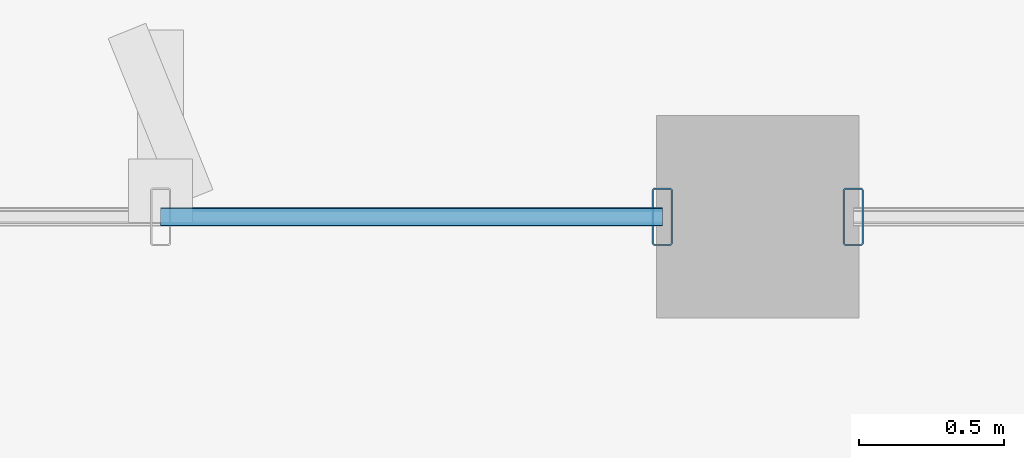
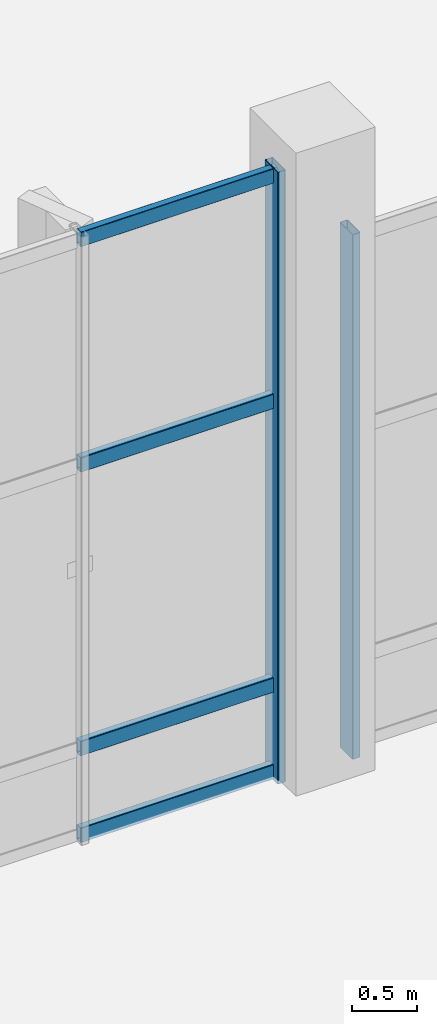
# One storey, part 51 of 163: 6 members, 2 elements without a shape of their own.
"""IFC4 building model written with IfcOpenShell, lengths in metres."""

import ifcopenshell
import ifcopenshell.guid

model = None  # the IFC model being written
_history = None  # IfcOwnerHistory: only IFC2X3 demands one
_inside = {}  # id of a spatial element -> (the spatial element, [elements in it])
_under = {}  # id of a project, library or spatial element -> (it, [spatial elements below it])
_declared = {}  # id of a project -> (the project, [libraries it declares])
_typed = {}  # id of a type object -> (the type object, [elements of that type])
_made_of = {}  # id of a material, layer set ... -> (it, [elements and type objects made of it])


def new_model(schema):
    """Start an empty IFC model of exactly this schema.

    Asked for "IFC4X3", IfcOpenShell would pick the latest addendum, in which some entities
    have other attributes; the version numbers below select the first issue.
    IFC2X3 requires an IfcOwnerHistory on every rooted entity: one is made here for all.
    """
    global model, _history
    if schema == "IFC4X3":
        model = ifcopenshell.file(schema_version=(4, 3, 0, 0))
    else:
        model = ifcopenshell.file(schema=schema)
    _inside.clear()
    _under.clear()
    _declared.clear()
    _typed.clear()
    _made_of.clear()
    _history = None
    if model.schema == "IFC2X3":
        org = make("IfcOrganization", Name="unknown")
        user = make(
            "IfcPersonAndOrganization",
            ThePerson=make("IfcPerson", FamilyName="unknown"),
            TheOrganization=org,
        )
        app = make(
            "IfcApplication",
            ApplicationDeveloper=org,
            Version="unknown",
            ApplicationFullName="unknown",
            ApplicationIdentifier="unknown",
        )
        _history = make(
            "IfcOwnerHistory",
            OwningUser=user,
            OwningApplication=app,
            ChangeAction="ADDED",
            CreationDate=0,
        )
    return model


def make(cls, **values):
    """One entity of the class cls with the attributes given. An attribute that is None is left unset."""
    return model.create_entity(
        cls, **{name: value for name, value in values.items() if value is not None}
    )


def rooted(cls, **values):
    """An entity with a GlobalId (a new one), such as an element, a storey or a relation."""
    return make(cls, GlobalId=ifcopenshell.guid.new(), OwnerHistory=_history, **values)


def si_unit(unit_type, name, prefix=None):
    """IfcSIUnit, for example si_unit("LENGTHUNIT", "METRE", prefix="MILLI")."""
    return make("IfcSIUnit", UnitType=unit_type, Prefix=prefix, Name=name)


def assignment(units):
    """IfcUnitAssignment: the units of a project."""
    return None if units is None else make("IfcUnitAssignment", Units=units)


def point(xyz):
    """IfcCartesianPoint."""
    return None if xyz is None else make("IfcCartesianPoint", Coordinates=xyz)


def direction(xyz):
    """IfcDirection."""
    return None if xyz is None else make("IfcDirection", DirectionRatios=xyz)


def frame(location, z_axis=None, x_axis=None):
    """IfcAxis2Placement3D, a coordinate frame: its origin and axes. An axis left out is left unset."""
    return make(
        "IfcAxis2Placement3D",
        Location=point(location),
        Axis=direction(z_axis),
        RefDirection=direction(x_axis),
    )


def frame_2d(location, x_axis=None):
    """IfcAxis2Placement2D, a coordinate frame in the plane: its origin and x axis."""
    return make(
        "IfcAxis2Placement2D", Location=point(location), RefDirection=direction(x_axis)
    )


def origin():
    """The frame at (0, 0, 0) with its axes left unset."""
    return frame((0.0, 0.0, 0.0))


def origin_2d():
    """The frame at (0, 0) in the plane with its x axis left unset."""
    return frame_2d((0.0, 0.0))


def place(relative_to, where):
    """IfcLocalPlacement: puts the frame where relative to a parent placement (None: the world)."""
    return make(
        "IfcLocalPlacement", PlacementRelTo=relative_to, RelativePlacement=where
    )


def context(
    kind, dimensions, precision=None, world=None, true_north=None, identifier=None
):
    """IfcGeometricRepresentationContext, for example the 3D "Model" context."""
    return make(
        "IfcGeometricRepresentationContext",
        ContextIdentifier=identifier,
        ContextType=kind,
        CoordinateSpaceDimension=dimensions,
        Precision=precision,
        WorldCoordinateSystem=world,
        TrueNorth=true_north,
    )


def subcontext(parent, identifier, kind, view, scale=None):
    """IfcGeometricRepresentationSubContext, for example "Body" below "Model"."""
    return make(
        "IfcGeometricRepresentationSubContext",
        ContextIdentifier=identifier,
        ContextType=kind,
        ParentContext=parent,
        TargetScale=scale,
        TargetView=view,
    )


def project(units=None, contexts=None):
    """IfcProject with its units and contexts."""
    return rooted(
        "IfcProject",
        Name="project",
        RepresentationContexts=contexts,
        UnitsInContext=assignment(units),
    )


def spatial(cls, under=None, at=None, **own):
    """A site, building, storey or space (cls), placed at a placement, below another one or the project."""
    s = rooted(cls, ObjectPlacement=at, **own)
    if under is not None:
        _under.setdefault(under.id(), (under, []))[1].append(s)
    return s


def profile(cls, at=None, kind="AREA", **sizes):
    """A parametric profile (cls). Its sizes go by their IFC names, for example OverallWidth=200.0."""
    return make(cls, ProfileType=kind, Position=at, **sizes)


def hollow_rectangle(**sizes):
    """IfcRectangleHollowProfileDef."""
    return profile("IfcRectangleHollowProfileDef", **sizes)


def extrude(swept, where, along, depth):
    """IfcExtrudedAreaSolid: the profile swept, set in the frame where, extruded along a direction by depth."""
    return make(
        "IfcExtrudedAreaSolid",
        SweptArea=swept,
        Position=where,
        ExtrudedDirection=direction(along),
        Depth=depth,
    )


def shape(context_of_items, identifier, shape_type, items):
    """IfcShapeRepresentation: the items that make up one representation, for example the "Body"."""
    return make(
        "IfcShapeRepresentation",
        ContextOfItems=context_of_items,
        RepresentationIdentifier=identifier,
        RepresentationType=shape_type,
        Items=items,
    )


def material(Name=None, Category=None):
    """IfcMaterial."""
    return make("IfcMaterial", Name=Name, Category=Category)


def layer(
    of_material, thickness, ventilated=None, Name=None, Category=None, Priority=None
):
    """IfcMaterialLayer: one layer of a wall or slab, of a material (None: an air gap)."""
    return make(
        "IfcMaterialLayer",
        Material=of_material,
        LayerThickness=thickness,
        IsVentilated=ventilated,
        Name=Name,
        Category=Category,
        Priority=Priority,
    )


def layer_set(layers, Name=None):
    """IfcMaterialLayerSet."""
    return make("IfcMaterialLayerSet", MaterialLayers=layers, LayerSetName=Name)


def material_profile(
    of_material, cross_section, Name=None, Category=None, Priority=None
):
    """IfcMaterialProfile: a cross section and its material."""
    return make(
        "IfcMaterialProfile",
        Name=Name,
        Material=of_material,
        Profile=cross_section,
        Priority=Priority,
        Category=Category,
    )


def profile_set(profiles, Name=None, composite=None):
    """IfcMaterialProfileSet."""
    return make(
        "IfcMaterialProfileSet",
        Name=Name,
        MaterialProfiles=profiles,
        CompositeProfile=composite,
    )


def made_of(thing, what):
    """Note that an element or type object is made of a material, layer set ...; save() writes the relation."""
    if what is not None:
        _made_of.setdefault(what.id(), (what, []))[1].append(thing)
    return thing


def type_object(cls, material=None, **own):
    """A type object (cls), such as IfcWallType, which elements share."""
    return made_of(rooted(cls, **own), material)


def element(
    cls,
    number,
    at=None,
    inside=None,
    cuts=None,
    type_object=None,
    material=None,
    context=None,
    identifier="Body",
    shape_type=None,
    held_by="IfcProductDefinitionShape",
    body=None,
    shapes=None,
    **own,
):
    """One element of the class cls, such as IfcWall. Its Tag is "e" and its number.

    at: its placement. inside: the storey or other place that contains it. cuts: it is an
    opening in that element (IfcRelVoidsElement). A single representation is given by context,
    identifier, shape_type and body (its items); several are given by shapes. held_by: the class
    of the entity that holds the representations. save() writes the other relations.
    """
    e = rooted(cls, Tag="e%d" % number, ObjectPlacement=at, **own)
    if body is not None:
        shapes = [shape(context, identifier, shape_type, body)]
    if shapes is not None:
        e.Representation = make(held_by, Representations=shapes)
    if inside is not None:
        _inside.setdefault(inside.id(), (inside, []))[1].append(e)
    if cuts is not None:
        rooted(
            "IfcRelVoidsElement", RelatingBuildingElement=cuts, RelatedOpeningElement=e
        )
    if type_object is not None:
        _typed.setdefault(type_object.id(), (type_object, []))[1].append(e)
    return made_of(e, material)


def aggregate(whole, parts):
    """IfcRelAggregates: a whole, such as a stair, and the parts it consists of."""
    return rooted("IfcRelAggregates", RelatingObject=whole, RelatedObjects=parts)


def save(model, path):
    """Write the relations noted so far, then the file.

    IfcRelAggregates (storeys below a building ...), IfcRelContainedInSpatialStructure (elements
    in a storey), IfcRelDefinesByType, IfcRelAssociatesMaterial and IfcRelDeclares: one each for
    every whole, place, type object, material and project.
    """
    for whole, parts in _under.values():
        aggregate(whole, parts)
    for where, things in _inside.values():
        rooted(
            "IfcRelContainedInSpatialStructure",
            RelatedElements=things,
            RelatingStructure=where,
        )
    for kind, things in _typed.values():
        rooted("IfcRelDefinesByType", RelatedObjects=things, RelatingType=kind)
    for what, things in _made_of.values():
        rooted("IfcRelAssociatesMaterial", RelatedObjects=things, RelatingMaterial=what)
    for by, libraries in _declared.values():
        rooted("IfcRelDeclares", RelatingContext=by, RelatedDefinitions=libraries)
    model.write(path)


model = new_model("IFC4")

# Units and contexts
model_context = context("Model", 3, precision=1e-05, world=origin(), true_north=direction((0.0, 1.0)))
body_context = subcontext(model_context, "Body", "Model", "MODEL_VIEW")
ifc_project = project(units=[si_unit("LENGTHUNIT", "METRE"), si_unit("AREAUNIT", "SQUARE_METRE"), si_unit("VOLUMEUNIT", "CUBIC_METRE"), si_unit("PLANEANGLEUNIT", "RADIAN"), si_unit("MASSUNIT", "GRAM", prefix="KILO")], contexts=[model_context])

# Site, building, storey
site_placement = place(None, origin())
site = spatial("IfcSite", under=ifc_project, at=site_placement, CompositionType="ELEMENT")
building_placement = place(site_placement, origin())
building = spatial("IfcBuilding", under=site, at=building_placement, Name="Khorjan Park Terminus", CompositionType="ELEMENT")
storey_placement = place(building_placement, origin())
storey = spatial("IfcBuildingStorey", under=building, at=storey_placement, Name="L00", CompositionType="ELEMENT", Elevation=0.0)

# Curtain wall, member
ifc_material = material(Name="Anodized Bronze Aluminium", Category="aluminium")
ifc_layer = layer(ifc_material, 0.22)
ifc_layer_set = layer_set([ifc_layer], Name="Anodized Bronze Aluminium")
curtain_wall_type = type_object("IfcCurtainWallType", Name="CW-PAV-C", PredefinedType="NOTDEFINED", material=ifc_layer_set)
curtain_wall_1_placement = place(storey_placement, origin())
curtain_wall_1 = element("IfcCurtainWall", 1, at=curtain_wall_1_placement, inside=storey, type_object=curtain_wall_type, Name="Unitized curtain wall CW-C (CW-V4L-N-L00-2)", PredefinedType="NOTDEFINED")
ifc_material_profile_1 = material_profile(ifc_material, hollow_rectangle(XDim=0.07, YDim=0.2, WallThickness=0.005, InnerFilletRadius=0.005, OuterFilletRadius=0.01, at=origin_2d()), Name="ALM 70x200x5")
ifc_profile_set_1 = profile_set([ifc_material_profile_1], Name="Anodized Bronze Aluminium")
member_type_1 = type_object("IfcMemberType", Name="ML-ALM-200", PredefinedType="MULLION", material=ifc_profile_set_1)
member_1_placement = place(storey_placement, frame((40.67, 66.0, -0.035), z_axis=(0.0, 0.0, 1.0), x_axis=(-1.0, 0.0, 0.0)))
member_1 = element("IfcMember", 2, at=member_1_placement, type_object=member_type_1, Name="Curtain-wall mullion ML-20 (CW-V4L-N-L00-2-0)", PredefinedType="MULLION", context=body_context, shape_type="SweptSolid", body=[
    extrude(hollow_rectangle(XDim=0.07, YDim=0.2, WallThickness=0.005, InnerFilletRadius=0.005, OuterFilletRadius=0.01, at=origin_2d()), origin(), (0.0, 0.0, 1.0), 5.71),
])

curtain_wall_2_placement = place(storey_placement, origin())
curtain_wall_2 = element("IfcCurtainWall", 3, at=curtain_wall_2_placement, inside=storey, type_object=curtain_wall_type, Name="Unitized curtain wall CW-C (CW-V4L-N-L00-3)", PredefinedType="NOTDEFINED")
member_2_placement = place(storey_placement, frame((41.33, 66.0, -0.035), z_axis=(0.0, 0.0, 1.0), x_axis=(-1.0, 0.0, 0.0)))
member_2 = element("IfcMember", 4, at=member_2_placement, type_object=member_type_1, Name="Curtain-wall mullion ML-20 (CW-V4L-N-L00-3-5)", PredefinedType="MULLION", context=body_context, shape_type="SweptSolid", body=[
    extrude(hollow_rectangle(XDim=0.07, YDim=0.2, WallThickness=0.005, InnerFilletRadius=0.005, OuterFilletRadius=0.01, at=origin_2d()), origin(), (0.0, 0.0, 1.0), 4.895),
])
aggregate(curtain_wall_2, [member_2])

# Member
ifc_material_profile_2 = material_profile(ifc_material, hollow_rectangle(XDim=0.065, YDim=0.14, WallThickness=0.004, InnerFilletRadius=0.004, OuterFilletRadius=0.008, at=origin_2d()), Name="ALT 65x140x4")
ifc_profile_set_2 = profile_set([ifc_material_profile_2], Name="Anodized Bronze Aluminium")
member_type_2 = type_object("IfcMemberType", Name="TR-ALT-140", PredefinedType="USERDEFINED", material=ifc_profile_set_2)
member_3_placement = place(storey_placement, frame((40.67, 66.0, 0.04), z_axis=(-1.0, 0.0, 0.0), x_axis=(0.0, -1.0, 0.0)))
member_3 = element("IfcMember", 5, at=member_3_placement, type_object=member_type_2, Name="Curtain-wall transom TR-14 (CW-V4L-N-L00-2-0-1)", ObjectType="TRANSOM", PredefinedType="USERDEFINED", context=body_context, shape_type="SweptSolid", body=[
    extrude(hollow_rectangle(XDim=0.065, YDim=0.14, WallThickness=0.004, InnerFilletRadius=0.004, OuterFilletRadius=0.008, at=origin_2d()), origin(), (0.0, 0.0, 1.0), 1.734),
])

member_4_placement = place(storey_placement, frame((40.67, 66.0, 0.85), z_axis=(-1.0, 0.0, 0.0), x_axis=(0.0, -1.0, 0.0)))
member_4 = element("IfcMember", 6, at=member_4_placement, type_object=member_type_2, Name="Curtain-wall transom TR-14 (CW-V4L-N-L00-2-0-2)", ObjectType="TRANSOM", PredefinedType="USERDEFINED", context=body_context, shape_type="SweptSolid", body=[
    extrude(hollow_rectangle(XDim=0.065, YDim=0.14, WallThickness=0.004, InnerFilletRadius=0.004, OuterFilletRadius=0.008, at=origin_2d()), origin(), (0.0, 0.0, 1.0), 1.734),
])

member_5_placement = place(storey_placement, frame((40.67, 66.0, 3.4968), z_axis=(-1.0, 0.0, 0.0), x_axis=(0.0, -1.0, 0.0)))
member_5 = element("IfcMember", 7, at=member_5_placement, type_object=member_type_2, Name="Curtain-wall transom TR-14 (CW-V4L-N-L00-2-0-3)", ObjectType="TRANSOM", PredefinedType="USERDEFINED", context=body_context, shape_type="SweptSolid", body=[
    extrude(hollow_rectangle(XDim=0.065, YDim=0.14, WallThickness=0.004, InnerFilletRadius=0.004, OuterFilletRadius=0.008, at=origin_2d()), origin(), (0.0, 0.0, 1.0), 1.734),
])

member_6_placement = place(storey_placement, frame((40.67, 66.0, 5.6), z_axis=(-1.0, 0.0, 0.0), x_axis=(0.0, -1.0, 0.0)))
member_6 = element("IfcMember", 8, at=member_6_placement, type_object=member_type_2, Name="Curtain-wall transom TR-14 (CW-V4L-N-L00-2-0-4)", ObjectType="TRANSOM", PredefinedType="USERDEFINED", context=body_context, shape_type="SweptSolid", body=[
    extrude(hollow_rectangle(XDim=0.065, YDim=0.14, WallThickness=0.004, InnerFilletRadius=0.004, OuterFilletRadius=0.008, at=origin_2d()), origin(), (0.0, 0.0, 1.0), 1.734),
])

aggregate(curtain_wall_1, [member_1, member_3, member_4, member_5, member_6])

save(model, "model.ifc")
